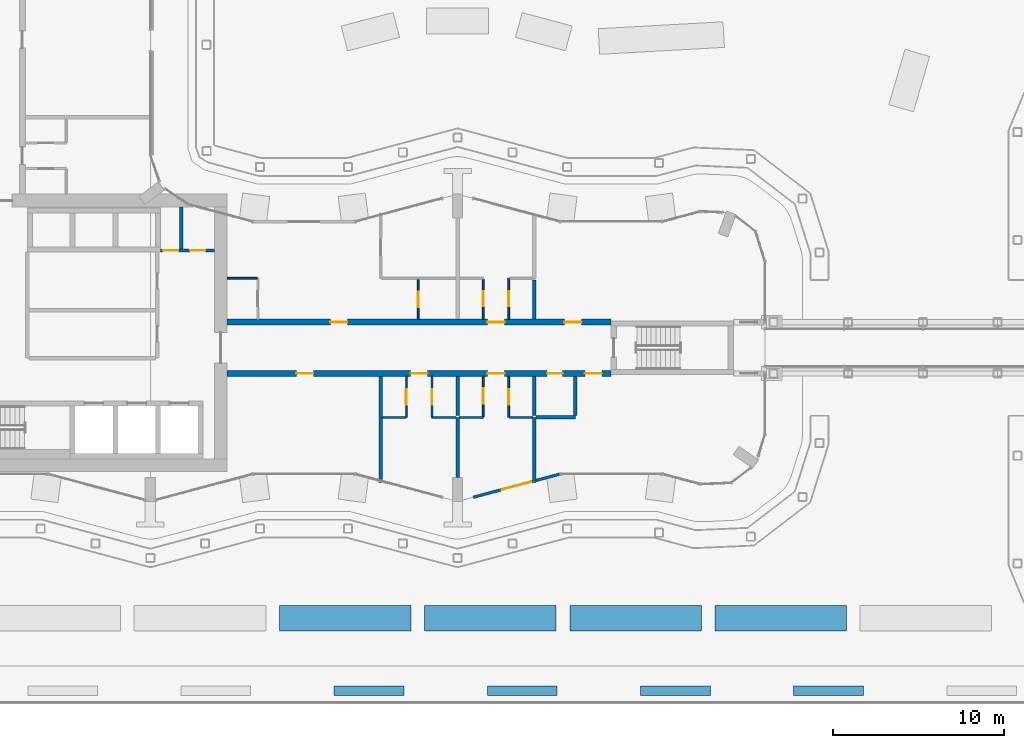
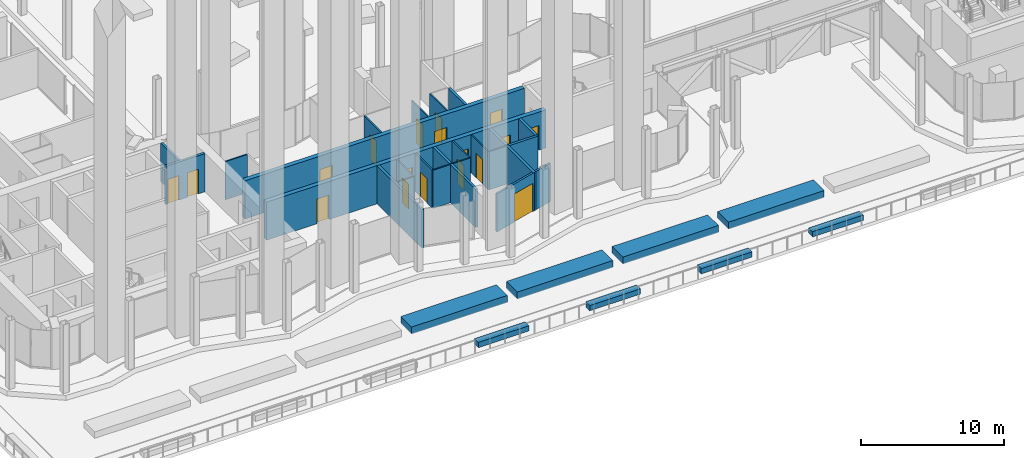
# One storey, part 24 of 33: 33 walls, 18 doors, 18 openings.
"""IFC4 building model written with IfcOpenShell, lengths in metres."""

from ifc_helpers import new_model, si_unit, direction, frame, frame_2d, origin, place, context, subcontext, project, spatial, rectangle, extrude, material, layer, layer_set, type_object, element, fill, save


model = new_model("IFC4")

# Units and contexts
model_context = context("Model", 3, precision=1e-05, world=origin(), true_north=direction((0.0, 1.0)))
body_context = subcontext(model_context, "Body", "Model", "MODEL_VIEW")
ifc_project = project(units=[si_unit("LENGTHUNIT", "METRE"), si_unit("AREAUNIT", "SQUARE_METRE"), si_unit("VOLUMEUNIT", "CUBIC_METRE"), si_unit("PLANEANGLEUNIT", "RADIAN"), si_unit("MASSUNIT", "GRAM", prefix="KILO")], contexts=[model_context])

# Site, building, storey
site_placement = place(None, origin())
site = spatial("IfcSite", under=ifc_project, at=site_placement, CompositionType="ELEMENT")
building_placement = place(site_placement, origin())
building = spatial("IfcBuilding", under=site, at=building_placement, Name="Plateau Cross Towers", CompositionType="ELEMENT")
storey_placement = place(building_placement, frame((0.0, 0.0, 26.800048828125)))
storey = spatial("IfcBuildingStorey", under=building, at=storey_placement, Name="L05", CompositionType="ELEMENT", Elevation=26.800048828125)

# Wall, openings, doors
ifc_material_1 = material(Name="Concrete block, plastered both sides", Category="concrete")
ifc_layer_1 = layer(ifc_material_1, 0.199951171875)
ifc_layer_set_1 = layer_set([ifc_layer_1], Name="Concrete block, plastered both sides")
wall_type_1 = type_object("IfcWallType", Name="Core partition 200", PredefinedType="PARTITIONING", material=ifc_layer_set_1)
wall_1_placement = place(storey_placement, frame((18.60009765625, 14.699951171875, 0.0), z_axis=(0.0, 0.0, 1.0), x_axis=(1.0, 0.0, 0.0)))
wall_1 = element("IfcWall", 1, at=wall_1_placement, inside=storey, type_object=wall_type_1, Name="Core partition", PredefinedType="PARTITIONING", context=body_context, shape_type="SweptSolid", body=[
    extrude(rectangle(XDim=3.14990234375, YDim=0.199951171875, at=frame_2d((1.574951171875, 0.0))), origin(), (0.0, 0.0, 1.0), 3.25),
])
opening_1_placement = place(wall_1_placement, frame((0.14990234375, 0.0, 0.0)))
opening_1 = element("IfcOpeningElement", 2, at=opening_1_placement, cuts=wall_1, Name="Opening RD2", PredefinedType="OPENING", context=body_context, shape_type="SweptSolid", body=[
    extrude(rectangle(XDim=0.89990234375, YDim=2.10009765625, at=frame_2d((0.449951171875, 1.050048828125))), frame((0.0, 0.10986328125, 0.0), z_axis=(0.0, -1.0, 0.0), x_axis=(1.0, 0.0, 0.0)), (0.0, 0.0, 1.0), 0.219970703125),
])
opening_2_placement = place(wall_1_placement, frame((1.72509765625, 0.0, 0.0)))
opening_2 = element("IfcOpeningElement", 3, at=opening_2_placement, cuts=wall_1, Name="Opening RD2", PredefinedType="OPENING", context=body_context, shape_type="SweptSolid", body=[
    extrude(rectangle(XDim=0.89990234375, YDim=2.10009765625, at=frame_2d((0.449951171875, 1.050048828125))), frame((0.0, 0.10986328125, 0.0), z_axis=(0.0, -1.0, 0.0), x_axis=(1.0, 0.0, 0.0)), (0.0, 0.0, 1.0), 0.219970703125),
])
ifc_material_2 = material(Name="Steel, fire-resisting leaf", Category="steel")
door_type_1 = type_object("IfcDoorType", Name="Core riser door 900", OperationType="NOTDEFINED", PredefinedType="DOOR", material=ifc_material_2)
door_1_placement = place(opening_1_placement, origin())
door_1 = element("IfcDoor", 4, at=door_1_placement, inside=storey, type_object=door_type_1, Name="Core riser door RD2", OperationType="SINGLE_SWING_LEFT", OverallHeight=2.10009765625, OverallWidth=0.89990234375, PredefinedType="DOOR", context=body_context, shape_type="SweptSolid", body=[
    extrude(rectangle(XDim=0.89990234375, YDim=2.10009765625, at=frame_2d((0.449951171875, 1.050048828125))), frame((0.0, 0.02490234375, 0.0), z_axis=(0.0, -1.0, 0.0), x_axis=(1.0, 0.0, 0.0)), (0.0, 0.0, 1.0), 0.050048828125),
])
fill(opening_1, door_1)
door_2_placement = place(opening_2_placement, origin())
door_2 = element("IfcDoor", 5, at=door_2_placement, inside=storey, type_object=door_type_1, Name="Core riser door RD2", OperationType="SINGLE_SWING_LEFT", OverallHeight=2.10009765625, OverallWidth=0.89990234375, PredefinedType="DOOR", context=body_context, shape_type="SweptSolid", body=[
    extrude(rectangle(XDim=0.89990234375, YDim=2.10009765625, at=frame_2d((0.449951171875, 1.050048828125))), frame((0.0, 0.02490234375, 0.0), z_axis=(0.0, -1.0, 0.0), x_axis=(1.0, 0.0, 0.0)), (0.0, 0.0, 1.0), 0.050048828125),
])
fill(opening_2, door_2)

# Wall
wall_2_placement = place(storey_placement, frame((19.800048828125, 14.800048828125, 0.0), z_axis=(0.0, 0.0, 1.0), x_axis=(0.0, 1.0, 0.0)))
element("IfcWall", 6, at=wall_2_placement, inside=storey, type_object=wall_type_1, Name="Core partition", PredefinedType="PARTITIONING", context=body_context, shape_type="SweptSolid", body=[
    extrude(rectangle(XDim=2.449951171875, YDim=0.199951171875, at=frame_2d((1.22509765625, 0.0))), origin(), (0.0, 0.0, 1.0), 3.25),
])

# Wall, openings, doors
ifc_material_3 = material(Name="Concrete C60/75", Category="concrete")
ifc_layer_2 = layer(ifc_material_3, 0.35009765625)
ifc_layer_set_2 = layer_set([ifc_layer_2], Name="Concrete C60/75")
wall_type_2 = type_object("IfcWallType", Name="Corridor wall 350", PredefinedType="SHEAR", material=ifc_layer_set_2)
wall_3_placement = place(storey_placement, frame((22.5, 7.5, 0.0), z_axis=(0.0, 0.0, 1.0), x_axis=(1.0, 0.0, 0.0)))
wall_3 = element("IfcWall", 7, at=wall_3_placement, inside=storey, type_object=wall_type_2, Name="A-cw-S1@L05", PredefinedType="SHEAR", context=body_context, shape_type="SweptSolid", body=[
    extrude(rectangle(XDim=22.5, YDim=0.35009765625, at=frame_2d((11.25, 0.0))), origin(), (0.0, 0.0, 1.0), 3.25),
])
opening_3_placement = place(wall_3_placement, frame((4.050048828125, 0.0, 0.0)))
opening_3 = element("IfcOpeningElement", 8, at=opening_3_placement, cuts=wall_3, Name="Opening 05-01", PredefinedType="OPENING", context=body_context, shape_type="SweptSolid", body=[
    extrude(rectangle(XDim=1.0, YDim=2.10009765625, at=frame_2d((0.5, 1.050048828125))), frame((0.0, 0.18505859375, 0.0), z_axis=(0.0, -1.0, 0.0), x_axis=(1.0, 0.0, 0.0)), (0.0, 0.0, 1.0), 0.3701171875),
])
opening_4_placement = place(wall_3_placement, frame((10.75, 0.0, 0.0)))
opening_4 = element("IfcOpeningElement", 9, at=opening_4_placement, cuts=wall_3, Name="Opening 05-02", PredefinedType="OPENING", context=body_context, shape_type="SweptSolid", body=[
    extrude(rectangle(XDim=1.0, YDim=2.10009765625, at=frame_2d((0.5, 1.050048828125))), frame((0.0, 0.18505859375, 0.0), z_axis=(0.0, -1.0, 0.0), x_axis=(1.0, 0.0, 0.0)), (0.0, 0.0, 1.0), 0.3701171875),
])
opening_5_placement = place(wall_3_placement, frame((15.25, 0.0, 0.0)))
opening_5 = element("IfcOpeningElement", 10, at=opening_5_placement, cuts=wall_3, Name="Opening 05-03", PredefinedType="OPENING", context=body_context, shape_type="SweptSolid", body=[
    extrude(rectangle(XDim=1.0, YDim=2.10009765625, at=frame_2d((0.5, 1.050048828125))), frame((0.0, 0.18505859375, 0.0), z_axis=(0.0, -1.0, 0.0), x_axis=(1.0, 0.0, 0.0)), (0.0, 0.0, 1.0), 0.3701171875),
])
opening_6_placement = place(wall_3_placement, frame((18.75, 0.0, 0.0)))
opening_6 = element("IfcOpeningElement", 11, at=opening_6_placement, cuts=wall_3, Name="Opening 05-04", PredefinedType="OPENING", context=body_context, shape_type="SweptSolid", body=[
    extrude(rectangle(XDim=0.89990234375, YDim=2.10009765625, at=frame_2d((0.449951171875, 1.050048828125))), frame((0.0, 0.18505859375, 0.0), z_axis=(0.0, -1.0, 0.0), x_axis=(1.0, 0.0, 0.0)), (0.0, 0.0, 1.0), 0.3701171875),
])
opening_7_placement = place(wall_3_placement, frame((20.949951171875, 0.0, 0.0)))
opening_7 = element("IfcOpeningElement", 12, at=opening_7_placement, cuts=wall_3, Name="Opening 05-05", PredefinedType="OPENING", context=body_context, shape_type="SweptSolid", body=[
    extrude(rectangle(XDim=1.0, YDim=2.10009765625, at=frame_2d((0.5, 1.050048828125))), frame((0.0, 0.18505859375, 0.0), z_axis=(0.0, -1.0, 0.0), x_axis=(1.0, 0.0, 0.0)), (0.0, 0.0, 1.0), 0.3701171875),
])
ifc_material_4 = material(Name="Timber, fire-resisting leaf", Category="wood")
door_type_2 = type_object("IfcDoorType", Name="Flat entrance door 1000", OperationType="NOTDEFINED", PredefinedType="DOOR", material=ifc_material_4)
door_3_placement = place(opening_3_placement, origin())
door_3 = element("IfcDoor", 13, at=door_3_placement, inside=storey, type_object=door_type_2, Name="Door 05-01", OperationType="SINGLE_SWING_LEFT", OverallHeight=2.10009765625, OverallWidth=1.0, PredefinedType="DOOR", context=body_context, shape_type="SweptSolid", body=[
    extrude(rectangle(XDim=1.0, YDim=2.10009765625, at=frame_2d((0.5, 1.050048828125))), frame((0.0, 0.02490234375, 0.0), z_axis=(0.0, -1.0, 0.0), x_axis=(1.0, 0.0, 0.0)), (0.0, 0.0, 1.0), 0.050048828125),
])
fill(opening_3, door_3)
door_4_placement = place(opening_4_placement, origin())
door_4 = element("IfcDoor", 14, at=door_4_placement, inside=storey, type_object=door_type_2, Name="Door 05-02", OperationType="SINGLE_SWING_LEFT", OverallHeight=2.10009765625, OverallWidth=1.0, PredefinedType="DOOR", context=body_context, shape_type="SweptSolid", body=[
    extrude(rectangle(XDim=1.0, YDim=2.10009765625, at=frame_2d((0.5, 1.050048828125))), frame((0.0, 0.02490234375, 0.0), z_axis=(0.0, -1.0, 0.0), x_axis=(1.0, 0.0, 0.0)), (0.0, 0.0, 1.0), 0.050048828125),
])
fill(opening_4, door_4)
door_5_placement = place(opening_5_placement, origin())
door_5 = element("IfcDoor", 15, at=door_5_placement, inside=storey, type_object=door_type_2, Name="Door 05-03", OperationType="SINGLE_SWING_RIGHT", OverallHeight=2.10009765625, OverallWidth=1.0, PredefinedType="DOOR", context=body_context, shape_type="SweptSolid", body=[
    extrude(rectangle(XDim=1.0, YDim=2.10009765625, at=frame_2d((0.5, 1.050048828125))), frame((0.0, 0.02490234375, 0.0), z_axis=(0.0, -1.0, 0.0), x_axis=(1.0, 0.0, 0.0)), (0.0, 0.0, 1.0), 0.050048828125),
])
fill(opening_5, door_5)
door_6_placement = place(opening_7_placement, origin())
door_6 = element("IfcDoor", 16, at=door_6_placement, inside=storey, type_object=door_type_2, Name="Door 05-05", OperationType="SINGLE_SWING_RIGHT", OverallHeight=2.10009765625, OverallWidth=1.0, PredefinedType="DOOR", context=body_context, shape_type="SweptSolid", body=[
    extrude(rectangle(XDim=1.0, YDim=2.10009765625, at=frame_2d((0.5, 1.050048828125))), frame((0.0, 0.02490234375, 0.0), z_axis=(0.0, -1.0, 0.0), x_axis=(1.0, 0.0, 0.0)), (0.0, 0.0, 1.0), 0.050048828125),
])
fill(opening_7, door_6)
door_type_3 = type_object("IfcDoorType", Name="Flat floor service door 900", OperationType="NOTDEFINED", PredefinedType="DOOR", material=ifc_material_4)
door_7_placement = place(opening_6_placement, origin())
door_7 = element("IfcDoor", 17, at=door_7_placement, inside=storey, type_object=door_type_3, Name="Door 05-04", OperationType="SINGLE_SWING_RIGHT", OverallHeight=2.10009765625, OverallWidth=0.89990234375, PredefinedType="DOOR", context=body_context, shape_type="SweptSolid", body=[
    extrude(rectangle(XDim=0.89990234375, YDim=2.10009765625, at=frame_2d((0.449951171875, 1.050048828125))), frame((0.0, 0.02490234375, 0.0), z_axis=(0.0, -1.0, 0.0), x_axis=(1.0, 0.0, 0.0)), (0.0, 0.0, 1.0), 0.050048828125),
])
fill(opening_6, door_7)

wall_4_placement = place(storey_placement, frame((22.5, 10.5, 0.0), z_axis=(0.0, 0.0, 1.0), x_axis=(1.0, 0.0, 0.0)))
wall_4 = element("IfcWall", 18, at=wall_4_placement, inside=storey, type_object=wall_type_2, Name="A-cw-S2@L05", PredefinedType="SHEAR", context=body_context, shape_type="SweptSolid", body=[
    extrude(rectangle(XDim=22.5, YDim=0.35009765625, at=frame_2d((11.25, 0.0))), origin(), (0.0, 0.0, 1.0), 3.25),
])
opening_8_placement = place(wall_4_placement, frame((6.050048828125, 0.0, 0.0)))
opening_8 = element("IfcOpeningElement", 19, at=opening_8_placement, cuts=wall_4, Name="Opening 05-06", PredefinedType="OPENING", context=body_context, shape_type="SweptSolid", body=[
    extrude(rectangle(XDim=1.0, YDim=2.10009765625, at=frame_2d((0.5, 1.050048828125))), frame((0.0, 0.18505859375, 0.0), z_axis=(0.0, -1.0, 0.0), x_axis=(1.0, 0.0, 0.0)), (0.0, 0.0, 1.0), 0.3701171875),
])
opening_9_placement = place(wall_4_placement, frame((15.25, 0.0, 0.0)))
opening_9 = element("IfcOpeningElement", 20, at=opening_9_placement, cuts=wall_4, Name="Opening 05-07", PredefinedType="OPENING", context=body_context, shape_type="SweptSolid", body=[
    extrude(rectangle(XDim=1.0, YDim=2.10009765625, at=frame_2d((0.5, 1.050048828125))), frame((0.0, 0.18505859375, 0.0), z_axis=(0.0, -1.0, 0.0), x_axis=(1.0, 0.0, 0.0)), (0.0, 0.0, 1.0), 0.3701171875),
])
opening_10_placement = place(wall_4_placement, frame((19.75, 0.0, 0.0)))
opening_10 = element("IfcOpeningElement", 21, at=opening_10_placement, cuts=wall_4, Name="Opening 05-08", PredefinedType="OPENING", context=body_context, shape_type="SweptSolid", body=[
    extrude(rectangle(XDim=1.0, YDim=2.10009765625, at=frame_2d((0.5, 1.050048828125))), frame((0.0, 0.18505859375, 0.0), z_axis=(0.0, -1.0, 0.0), x_axis=(1.0, 0.0, 0.0)), (0.0, 0.0, 1.0), 0.3701171875),
])
door_8_placement = place(opening_8_placement, origin())
door_8 = element("IfcDoor", 22, at=door_8_placement, inside=storey, type_object=door_type_2, Name="Door 05-06", OperationType="SINGLE_SWING_LEFT", OverallHeight=2.10009765625, OverallWidth=1.0, PredefinedType="DOOR", context=body_context, shape_type="SweptSolid", body=[
    extrude(rectangle(XDim=1.0, YDim=2.10009765625, at=frame_2d((0.5, 1.050048828125))), frame((0.0, 0.02490234375, 0.0), z_axis=(0.0, -1.0, 0.0), x_axis=(1.0, 0.0, 0.0)), (0.0, 0.0, 1.0), 0.050048828125),
])
fill(opening_8, door_8)
door_9_placement = place(opening_9_placement, origin())
door_9 = element("IfcDoor", 23, at=door_9_placement, inside=storey, type_object=door_type_2, Name="Door 05-07", OperationType="SINGLE_SWING_RIGHT", OverallHeight=2.10009765625, OverallWidth=1.0, PredefinedType="DOOR", context=body_context, shape_type="SweptSolid", body=[
    extrude(rectangle(XDim=1.0, YDim=2.10009765625, at=frame_2d((0.5, 1.050048828125))), frame((0.0, 0.02490234375, 0.0), z_axis=(0.0, -1.0, 0.0), x_axis=(1.0, 0.0, 0.0)), (0.0, 0.0, 1.0), 0.050048828125),
])
fill(opening_9, door_9)
door_10_placement = place(opening_10_placement, origin())
door_10 = element("IfcDoor", 24, at=door_10_placement, inside=storey, type_object=door_type_2, Name="Door 05-08", OperationType="SINGLE_SWING_RIGHT", OverallHeight=2.10009765625, OverallWidth=1.0, PredefinedType="DOOR", context=body_context, shape_type="SweptSolid", body=[
    extrude(rectangle(XDim=1.0, YDim=2.10009765625, at=frame_2d((0.5, 1.050048828125))), frame((0.0, 0.02490234375, 0.0), z_axis=(0.0, -1.0, 0.0), x_axis=(1.0, 0.0, 0.0)), (0.0, 0.0, 1.0), 0.050048828125),
])
fill(opening_10, door_10)

# Wall, opening, door
ifc_material_5 = material(Name="Aluminium framed glazing", Category="aluminium")
ifc_layer_3 = layer(ifc_material_5, 0.159912109375)
ifc_layer_set_3 = layer_set([ifc_layer_3], Name="Aluminium framed glazing")
wall_type_3 = type_object("IfcWallType", Name="Entrance screen wall 160", PredefinedType="STANDARD", material=ifc_layer_set_3)
wall_5_placement = place(storey_placement, frame((42.0, 1.60693359375, 0.0), z_axis=(0.0, 0.0, 1.0), x_axis=(-0.965956335063, -0.258705157954, 0.0)))
wall_5 = element("IfcWall", 25, at=wall_5_placement, inside=storey, type_object=wall_type_3, Name="Deck A1 screen wall", PredefinedType="STANDARD", context=body_context, shape_type="SweptSolid", body=[
    extrude(rectangle(XDim=5.26123046875, YDim=0.159912109375, at=frame_2d((2.630615234375, 0.0))), origin(), (0.0, 0.0, 1.0), 3.25),
])
opening_11_placement = place(wall_5_placement, frame((1.73046875, 0.0, 0.0)))
opening_11 = element("IfcOpeningElement", 26, at=opening_11_placement, cuts=wall_5, Name="Opening XD1", PredefinedType="OPENING", context=body_context, shape_type="SweptSolid", body=[
    extrude(rectangle(XDim=1.800048828125, YDim=2.39990234375, at=frame_2d((0.89990234375, 1.199951171875))), frame((0.0, 0.08984375, 0.0), z_axis=(0.0, -1.0, 0.0), x_axis=(1.0, 0.0, 0.0)), (0.0, 0.0, 1.0), 0.179931640625),
])
door_type_4 = type_object("IfcDoorType", Name="Terrace door double leaf 1800x2400", OperationType="DOUBLE_DOOR_SINGLE_SWING", PredefinedType="DOOR", material=ifc_material_5)
door_11_placement = place(opening_11_placement, origin())
door_11 = element("IfcDoor", 27, at=door_11_placement, inside=storey, type_object=door_type_4, Name="Deck A1 door", OperationType="SINGLE_SWING_LEFT", OverallHeight=2.39990234375, OverallWidth=1.800048828125, PredefinedType="DOOR", context=body_context, shape_type="SweptSolid", body=[
    extrude(rectangle(XDim=1.800048828125, YDim=2.39990234375, at=frame_2d((0.89990234375, 1.199951171875))), frame((0.0, 0.02490234375, 0.0), z_axis=(0.0, -1.0, 0.0), x_axis=(1.0, 0.0, 0.0)), (0.0, 0.0, 1.0), 0.050048828125),
])
fill(opening_11, door_11)

# Walls
ifc_material_6 = material(Name="Gypsum board on steel studs", Category="steel")
ifc_layer_4 = layer(ifc_material_6, 0.10009765625)
ifc_layer_set_4 = layer_set([ifc_layer_4], Name="Gypsum board on steel studs")
wall_type_4 = type_object("IfcWallType", Name="Flat partition 100", PredefinedType="PARTITIONING", material=ifc_layer_set_4)
wall_6_placement = place(storey_placement, frame((31.60009765625, 4.925048828125, 0.0), z_axis=(0.0, 0.0, 1.0), x_axis=(1.0, 0.0, 0.0)))
element("IfcWall", 28, at=wall_6_placement, inside=storey, type_object=wall_type_4, Name="Partition wall", PredefinedType="PARTITIONING", context=body_context, shape_type="SweptSolid", body=[
    extrude(rectangle(XDim=1.349853515625, YDim=0.10009765625, at=frame_2d((0.6748046875, 0.0))), origin(), (0.0, 0.0, 1.0), 3.25),
])
for number, where, z_axis, x_axis, name in (
    (29, (34.5, 4.925048828125, 0.0), (0.0, 0.0, 1.0), (1.0, 0.0, 0.0), "Partition wall"),
    (30, (36.10009765625, 4.925048828125, 0.0), (0.0, 0.0, 1.0), (1.0, 0.0, 0.0), "Partition wall"),
):
    element("IfcWall", number, at=place(storey_placement, frame(where, z_axis=z_axis, x_axis=x_axis)), inside=storey, type_object=wall_type_4, Name=name, PredefinedType="PARTITIONING", context=body_context, shape_type="SweptSolid", body=[
        extrude(rectangle(XDim=1.39990234375, YDim=0.10009765625, at=frame_2d((0.699951171875, 0.0))), origin(), (0.0, 0.0, 1.0), 3.25),
    ])
wall_7_placement = place(storey_placement, frame((39.050048828125, 4.925048828125, 0.0), z_axis=(0.0, 0.0, 1.0), x_axis=(1.0, 0.0, 0.0)))
element("IfcWall", 31, at=wall_7_placement, inside=storey, type_object=wall_type_4, Name="Partition wall", PredefinedType="PARTITIONING", context=body_context, shape_type="SweptSolid", body=[
    extrude(rectangle(XDim=1.349853515625, YDim=0.10009765625, at=frame_2d((0.6748046875, 0.0))), origin(), (0.0, 0.0, 1.0), 3.25),
])
wall_8_placement = place(storey_placement, frame((24.25, 13.074951171875, 0.0), z_axis=(0.0, 0.0, 1.0), x_axis=(-1.0, 0.0, 0.0)))
element("IfcWall", 32, at=wall_8_placement, inside=storey, type_object=wall_type_4, Name="Partition wall", PredefinedType="PARTITIONING", context=body_context, shape_type="SweptSolid", body=[
    extrude(rectangle(XDim=1.75, YDim=0.10009765625, at=frame_2d((0.875, 0.0))), origin(), (0.0, 0.0, 1.0), 3.25),
])

# Wall, opening, door
wall_9_placement = place(storey_placement, frame((33.0, 4.925048828125, 0.0), z_axis=(0.0, 0.0, 1.0), x_axis=(0.0, 1.0, 0.0)))
wall_9 = element("IfcWall", 33, at=wall_9_placement, inside=storey, type_object=wall_type_4, Name="Partition wall", PredefinedType="PARTITIONING", context=body_context, shape_type="SweptSolid", body=[
    extrude(rectangle(XDim=2.39990234375, YDim=0.10009765625, at=frame_2d((1.199951171875, 0.0))), origin(), (0.0, 0.0, 1.0), 3.25),
])
opening_12_placement = place(wall_9_placement, frame((0.75, 0.0, 0.0)))
opening_12 = element("IfcOpeningElement", 34, at=opening_12_placement, cuts=wall_9, Name="Opening 05-18", PredefinedType="OPENING", context=body_context, shape_type="SweptSolid", body=[
    extrude(rectangle(XDim=0.89990234375, YDim=2.10009765625, at=frame_2d((0.449951171875, 1.050048828125))), frame((0.0, 0.06005859375, 0.0), z_axis=(0.0, -1.0, 0.0), x_axis=(1.0, 0.0, 0.0)), (0.0, 0.0, 1.0), 0.1201171875),
])
ifc_material_7 = material(Name="Timber leaf", Category="wood")
door_type_5 = type_object("IfcDoorType", Name="Flat room door 900", OperationType="NOTDEFINED", PredefinedType="DOOR", material=ifc_material_7)
door_12_placement = place(opening_12_placement, origin())
door_12 = element("IfcDoor", 35, at=door_12_placement, inside=storey, type_object=door_type_5, Name="Door 05-18", OperationType="SINGLE_SWING_LEFT", OverallHeight=2.10009765625, OverallWidth=0.89990234375, PredefinedType="DOOR", context=body_context, shape_type="SweptSolid", body=[
    extrude(rectangle(XDim=0.89990234375, YDim=2.10009765625, at=frame_2d((0.449951171875, 1.050048828125))), frame((0.0, 0.02490234375, 0.0), z_axis=(0.0, -1.0, 0.0), x_axis=(1.0, 0.0, 0.0)), (0.0, 0.0, 1.0), 0.050048828125),
])
fill(opening_12, door_12)

wall_10_placement = place(storey_placement, frame((33.699951171875, 13.02490234375, 0.0), z_axis=(0.0, 0.0, 1.0), x_axis=(0.0, -1.0, 0.0)))
wall_10 = element("IfcWall", 36, at=wall_10_placement, inside=storey, type_object=wall_type_4, Name="Partition wall", PredefinedType="PARTITIONING", context=body_context, shape_type="SweptSolid", body=[
    extrude(rectangle(XDim=2.349853515625, YDim=0.10009765625, at=frame_2d((1.1748046875, 0.0))), origin(), (0.0, 0.0, 1.0), 3.25),
])
opening_13_placement = place(wall_10_placement, frame((0.75, 0.0, 0.0)))
opening_13 = element("IfcOpeningElement", 37, at=opening_13_placement, cuts=wall_10, Name="Opening 05-23", PredefinedType="OPENING", context=body_context, shape_type="SweptSolid", body=[
    extrude(rectangle(XDim=0.89990234375, YDim=2.10009765625, at=frame_2d((0.449951171875, 1.050048828125))), frame((0.0, 0.06005859375, 0.0), z_axis=(0.0, -1.0, 0.0), x_axis=(1.0, 0.0, 0.0)), (0.0, 0.0, 1.0), 0.1201171875),
])
door_13_placement = place(opening_13_placement, origin())
door_13 = element("IfcDoor", 38, at=door_13_placement, inside=storey, type_object=door_type_5, Name="Door 05-23", OperationType="SINGLE_SWING_RIGHT", OverallHeight=2.10009765625, OverallWidth=0.89990234375, PredefinedType="DOOR", context=body_context, shape_type="SweptSolid", body=[
    extrude(rectangle(XDim=0.89990234375, YDim=2.10009765625, at=frame_2d((0.449951171875, 1.050048828125))), frame((0.0, 0.02490234375, 0.0), z_axis=(0.0, -1.0, 0.0), x_axis=(1.0, 0.0, 0.0)), (0.0, 0.0, 1.0), 0.050048828125),
])
fill(opening_13, door_13)

wall_11_placement = place(storey_placement, frame((34.5, 7.324951171875, 0.0), z_axis=(0.0, 0.0, 1.0), x_axis=(0.0, -1.0, 0.0)))
wall_11 = element("IfcWall", 39, at=wall_11_placement, inside=storey, type_object=wall_type_4, Name="Partition wall", PredefinedType="PARTITIONING", context=body_context, shape_type="SweptSolid", body=[
    extrude(rectangle(XDim=2.349853515625, YDim=0.10009765625, at=frame_2d((1.1748046875, 0.0))), origin(), (0.0, 0.0, 1.0), 3.25),
])
opening_14_placement = place(wall_11_placement, frame((0.75, 0.0, 0.0)))
opening_14 = element("IfcOpeningElement", 40, at=opening_14_placement, cuts=wall_11, Name="Opening 05-19", PredefinedType="OPENING", context=body_context, shape_type="SweptSolid", body=[
    extrude(rectangle(XDim=0.89990234375, YDim=2.10009765625, at=frame_2d((0.449951171875, 1.050048828125))), frame((0.0, 0.06005859375, 0.0), z_axis=(0.0, -1.0, 0.0), x_axis=(1.0, 0.0, 0.0)), (0.0, 0.0, 1.0), 0.1201171875),
])
door_14_placement = place(opening_14_placement, origin())
door_14 = element("IfcDoor", 41, at=door_14_placement, inside=storey, type_object=door_type_5, Name="Door 05-19", OperationType="SINGLE_SWING_RIGHT", OverallHeight=2.10009765625, OverallWidth=0.89990234375, PredefinedType="DOOR", context=body_context, shape_type="SweptSolid", body=[
    extrude(rectangle(XDim=0.89990234375, YDim=2.10009765625, at=frame_2d((0.449951171875, 1.050048828125))), frame((0.0, 0.02490234375, 0.0), z_axis=(0.0, -1.0, 0.0), x_axis=(1.0, 0.0, 0.0)), (0.0, 0.0, 1.0), 0.050048828125),
])
fill(opening_14, door_14)

wall_12_placement = place(storey_placement, frame((37.5, 4.97509765625, 0.0), z_axis=(0.0, 0.0, 1.0), x_axis=(0.0, 1.0, 0.0)))
wall_12 = element("IfcWall", 42, at=wall_12_placement, inside=storey, type_object=wall_type_4, Name="Partition wall", PredefinedType="PARTITIONING", context=body_context, shape_type="SweptSolid", body=[
    extrude(rectangle(XDim=2.349853515625, YDim=0.10009765625, at=frame_2d((1.1748046875, 0.0))), origin(), (0.0, 0.0, 1.0), 3.25),
])
opening_15_placement = place(wall_12_placement, frame((0.75, 0.0, 0.0)))
opening_15 = element("IfcOpeningElement", 43, at=opening_15_placement, cuts=wall_12, Name="Opening 05-20", PredefinedType="OPENING", context=body_context, shape_type="SweptSolid", body=[
    extrude(rectangle(XDim=0.89990234375, YDim=2.10009765625, at=frame_2d((0.449951171875, 1.050048828125))), frame((0.0, 0.06005859375, 0.0), z_axis=(0.0, -1.0, 0.0), x_axis=(1.0, 0.0, 0.0)), (0.0, 0.0, 1.0), 0.1201171875),
])
door_15_placement = place(opening_15_placement, origin())
door_15 = element("IfcDoor", 44, at=door_15_placement, inside=storey, type_object=door_type_5, Name="Door 05-20", OperationType="SINGLE_SWING_RIGHT", OverallHeight=2.10009765625, OverallWidth=0.89990234375, PredefinedType="DOOR", context=body_context, shape_type="SweptSolid", body=[
    extrude(rectangle(XDim=0.89990234375, YDim=2.10009765625, at=frame_2d((0.449951171875, 1.050048828125))), frame((0.0, 0.02490234375, 0.0), z_axis=(0.0, -1.0, 0.0), x_axis=(1.0, 0.0, 0.0)), (0.0, 0.0, 1.0), 0.050048828125),
])
fill(opening_15, door_15)

wall_13_placement = place(storey_placement, frame((37.5, 10.675048828125, 0.0), z_axis=(0.0, 0.0, 1.0), x_axis=(0.0, 1.0, 0.0)))
wall_13 = element("IfcWall", 45, at=wall_13_placement, inside=storey, type_object=wall_type_4, Name="Partition wall", PredefinedType="PARTITIONING", context=body_context, shape_type="SweptSolid", body=[
    extrude(rectangle(XDim=2.349853515625, YDim=0.10009765625, at=frame_2d((1.1748046875, 0.0))), origin(), (0.0, 0.0, 1.0), 3.25),
])
opening_16_placement = place(wall_13_placement, frame((0.75, 0.0, 0.0)))
opening_16 = element("IfcOpeningElement", 46, at=opening_16_placement, cuts=wall_13, Name="Opening 05-25", PredefinedType="OPENING", context=body_context, shape_type="SweptSolid", body=[
    extrude(rectangle(XDim=0.89990234375, YDim=2.10009765625, at=frame_2d((0.449951171875, 1.050048828125))), frame((0.0, 0.06005859375, 0.0), z_axis=(0.0, -1.0, 0.0), x_axis=(1.0, 0.0, 0.0)), (0.0, 0.0, 1.0), 0.1201171875),
])
door_16_placement = place(opening_16_placement, origin())
door_16 = element("IfcDoor", 47, at=door_16_placement, inside=storey, type_object=door_type_5, Name="Door 05-25", OperationType="SINGLE_SWING_RIGHT", OverallHeight=2.10009765625, OverallWidth=0.89990234375, PredefinedType="DOOR", context=body_context, shape_type="SweptSolid", body=[
    extrude(rectangle(XDim=0.89990234375, YDim=2.10009765625, at=frame_2d((0.449951171875, 1.050048828125))), frame((0.0, 0.02490234375, 0.0), z_axis=(0.0, -1.0, 0.0), x_axis=(1.0, 0.0, 0.0)), (0.0, 0.0, 1.0), 0.050048828125),
])
fill(opening_16, door_16)

wall_14_placement = place(storey_placement, frame((39.0, 7.324951171875, 0.0), z_axis=(0.0, 0.0, 1.0), x_axis=(0.0, -1.0, 0.0)))
wall_14 = element("IfcWall", 48, at=wall_14_placement, inside=storey, type_object=wall_type_4, Name="Partition wall", PredefinedType="PARTITIONING", context=body_context, shape_type="SweptSolid", body=[
    extrude(rectangle(XDim=2.39990234375, YDim=0.10009765625, at=frame_2d((1.199951171875, 0.0))), origin(), (0.0, 0.0, 1.0), 3.25),
])
opening_17_placement = place(wall_14_placement, frame((0.75, 0.0, 0.0)))
opening_17 = element("IfcOpeningElement", 49, at=opening_17_placement, cuts=wall_14, Name="Opening 05-21", PredefinedType="OPENING", context=body_context, shape_type="SweptSolid", body=[
    extrude(rectangle(XDim=0.89990234375, YDim=2.10009765625, at=frame_2d((0.449951171875, 1.050048828125))), frame((0.0, 0.06005859375, 0.0), z_axis=(0.0, -1.0, 0.0), x_axis=(1.0, 0.0, 0.0)), (0.0, 0.0, 1.0), 0.1201171875),
])
door_17_placement = place(opening_17_placement, origin())
door_17 = element("IfcDoor", 50, at=door_17_placement, inside=storey, type_object=door_type_5, Name="Door 05-21", OperationType="SINGLE_SWING_LEFT", OverallHeight=2.10009765625, OverallWidth=0.89990234375, PredefinedType="DOOR", context=body_context, shape_type="SweptSolid", body=[
    extrude(rectangle(XDim=0.89990234375, YDim=2.10009765625, at=frame_2d((0.449951171875, 1.050048828125))), frame((0.0, 0.02490234375, 0.0), z_axis=(0.0, -1.0, 0.0), x_axis=(1.0, 0.0, 0.0)), (0.0, 0.0, 1.0), 0.050048828125),
])
fill(opening_17, door_17)

wall_15_placement = place(storey_placement, frame((39.0, 13.074951171875, 0.0), z_axis=(0.0, 0.0, 1.0), x_axis=(0.0, -1.0, 0.0)))
wall_15 = element("IfcWall", 51, at=wall_15_placement, inside=storey, type_object=wall_type_4, Name="Partition wall", PredefinedType="PARTITIONING", context=body_context, shape_type="SweptSolid", body=[
    extrude(rectangle(XDim=2.39990234375, YDim=0.10009765625, at=frame_2d((1.199951171875, 0.0))), origin(), (0.0, 0.0, 1.0), 3.25),
])
opening_18_placement = place(wall_15_placement, frame((0.75, 0.0, 0.0)))
opening_18 = element("IfcOpeningElement", 52, at=opening_18_placement, cuts=wall_15, Name="Opening 05-26", PredefinedType="OPENING", context=body_context, shape_type="SweptSolid", body=[
    extrude(rectangle(XDim=0.89990234375, YDim=2.10009765625, at=frame_2d((0.449951171875, 1.050048828125))), frame((0.0, 0.06005859375, 0.0), z_axis=(0.0, -1.0, 0.0), x_axis=(1.0, 0.0, 0.0)), (0.0, 0.0, 1.0), 0.1201171875),
])
door_18_placement = place(opening_18_placement, origin())
door_18 = element("IfcDoor", 53, at=door_18_placement, inside=storey, type_object=door_type_5, Name="Door 05-26", OperationType="SINGLE_SWING_RIGHT", OverallHeight=2.10009765625, OverallWidth=0.89990234375, PredefinedType="DOOR", context=body_context, shape_type="SweptSolid", body=[
    extrude(rectangle(XDim=0.89990234375, YDim=2.10009765625, at=frame_2d((0.449951171875, 1.050048828125))), frame((0.0, 0.02490234375, 0.0), z_axis=(0.0, -1.0, 0.0), x_axis=(1.0, 0.0, 0.0)), (0.0, 0.0, 1.0), 0.050048828125),
])
fill(opening_18, door_18)

# Walls
ifc_material_8 = material(Name="Gypsum board on steel studs, two layers each side", Category="steel")
ifc_layer_5 = layer(ifc_material_8, 0.199951171875)
ifc_layer_set_5 = layer_set([ifc_layer_5], Name="Gypsum board on steel studs, two layers each side")
wall_type_5 = type_object("IfcWallType", Name="Flat party wall 200", PredefinedType="PARTITIONING", material=ifc_layer_set_5)
wall_16_placement = place(storey_placement, frame((40.60009765625, 4.925048828125, 0.0), z_axis=(0.0, 0.0, 1.0), x_axis=(1.0, 0.0, 0.0)))
element("IfcWall", 54, at=wall_16_placement, inside=storey, type_object=wall_type_5, Name="Party wall", PredefinedType="PARTITIONING", context=body_context, shape_type="SweptSolid", body=[
    extrude(rectangle(XDim=2.2998046875, YDim=0.199951171875, at=frame_2d((1.14990234375, 0.0))), origin(), (0.0, 0.0, 1.0), 3.25),
])
wall_17_placement = place(storey_placement, frame((31.5, 1.122314453125, 0.0), z_axis=(0.0, 0.0, 1.0), x_axis=(0.0, 1.0, 0.0)))
element("IfcWall", 55, at=wall_17_placement, inside=storey, type_object=wall_type_5, Name="Party wall", PredefinedType="PARTITIONING", context=body_context, shape_type="SweptSolid", body=[
    extrude(rectangle(XDim=6.20263671875, YDim=0.199951171875, at=frame_2d((3.101318359375, 0.0))), origin(), (0.0, 0.0, 1.0), 3.25),
])
wall_18_placement = place(storey_placement, frame((36.0, 4.925048828125, 0.0), z_axis=(0.0, 0.0, 1.0), x_axis=(0.0, -1.0, 0.0)))
element("IfcWall", 56, at=wall_18_placement, inside=storey, type_object=wall_type_5, Name="Party wall", PredefinedType="PARTITIONING", context=body_context, shape_type="SweptSolid", body=[
    extrude(rectangle(XDim=3.525146484375, YDim=0.199951171875, at=frame_2d((1.7626953125, 0.0))), origin(), (0.0, 0.0, 1.0), 3.25),
])
wall_19_placement = place(storey_placement, frame((36.0, 5.02490234375, 0.0), z_axis=(0.0, 0.0, 1.0), x_axis=(0.0, 1.0, 0.0)))
element("IfcWall", 57, at=wall_19_placement, inside=storey, type_object=wall_type_5, Name="Party wall", PredefinedType="PARTITIONING", context=body_context, shape_type="SweptSolid", body=[
    extrude(rectangle(XDim=2.300048828125, YDim=0.199951171875, at=frame_2d((1.14990234375, 0.0))), origin(), (0.0, 0.0, 1.0), 3.25),
])
wall_20_placement = place(storey_placement, frame((40.5, 4.925048828125, 0.0), z_axis=(0.0, 0.0, 1.0), x_axis=(0.0, -1.0, 0.0)))
element("IfcWall", 58, at=wall_20_placement, inside=storey, type_object=wall_type_5, Name="Party wall", PredefinedType="PARTITIONING", context=body_context, shape_type="SweptSolid", body=[
    extrude(rectangle(XDim=3.802734375, YDim=0.199951171875, at=frame_2d((1.9013671875, 0.0))), origin(), (0.0, 0.0, 1.0), 3.25),
])
for number, where, z_axis, x_axis, name in (
    (59, (40.5, 5.02490234375, 0.0), (0.0, 0.0, 1.0), (0.0, 1.0, 0.0), "Party wall"),
    (60, (40.5, 10.675048828125, 0.0), (0.0, 0.0, 1.0), (0.0, 1.0, 0.0), "Party wall"),
    (61, (42.89990234375, 5.02490234375, 0.0), (0.0, 0.0, 1.0), (0.0, 1.0, 0.0), "Party wall"),
):
    element("IfcWall", number, at=place(storey_placement, frame(where, z_axis=z_axis, x_axis=x_axis)), inside=storey, type_object=wall_type_5, Name=name, PredefinedType="PARTITIONING", context=body_context, shape_type="SweptSolid", body=[
        extrude(rectangle(XDim=2.300048828125, YDim=0.199951171875, at=frame_2d((1.14990234375, 0.0))), origin(), (0.0, 0.0, 1.0), 3.25),
    ])
ifc_material_9 = material(Name="Concrete C30/37", Category="concrete")
ifc_layer_6 = layer(ifc_material_9, 0.550048828125)
ifc_layer_set_6 = layer_set([ifc_layer_6], Name="Concrete C30/37")
wall_type_6 = type_object("IfcWallType", Name="Planter upstand 550", PredefinedType="STANDARD", material=ifc_layer_set_6)
for number, where, z_axis, x_axis, name in (
    (62, (59.772705078125, -11.0849609375, 0.0), (0.0, 0.0, 1.0), (-1.0, 0.0, 0.0), "Planter 33"),
    (63, (50.800048828125, -11.0849609375, 0.0), (0.0, 0.0, 1.0), (-1.0, 0.0, 0.0), "Planter 34"),
    (64, (41.827392578125, -11.0849609375, 0.0), (0.0, 0.0, 1.0), (-1.0, 0.0, 0.0), "Planter 35"),
    (65, (32.854736328125, -11.0849609375, 0.0), (0.0, 0.0, 1.0), (-1.0, 0.0, 0.0), "Planter 36"),
):
    element("IfcWall", number, at=place(storey_placement, frame(where, z_axis=z_axis, x_axis=x_axis)), inside=storey, type_object=wall_type_6, Name=name, PredefinedType="STANDARD", context=body_context, shape_type="SweptSolid", body=[
        extrude(rectangle(XDim=4.08642578125, YDim=0.550048828125, at=frame_2d((2.043212890625, 0.0))), origin(), (0.0, 0.0, 1.0), 0.449951171875),
    ])
ifc_layer_7 = layer(ifc_material_9, 1.5)
ifc_layer_set_7 = layer_set([ifc_layer_7], Name="Concrete C30/37")
wall_type_7 = type_object("IfcWallType", Name="Planting bed 1500", PredefinedType="STANDARD", material=ifc_layer_set_7)
for number, where, z_axis, x_axis, name in (
    (66, (58.778564453125, -6.85009765625, 0.0), (0.0, 0.0, 1.0), (-1.0, 0.0, 0.0), "Planter bed 11"),
    (67, (50.274658203125, -6.85009765625, 0.0), (0.0, 0.0, 1.0), (-1.0, 0.0, 0.0), "Planter bed 12"),
    (68, (41.7705078125, -6.85009765625, 0.0), (0.0, 0.0, 1.0), (-1.0, 0.0, 0.0), "Planter bed 13"),
    (69, (33.266357421875, -6.85009765625, 0.0), (0.0, 0.0, 1.0), (-1.0, 0.0, 0.0), "Planter bed 14"),
):
    element("IfcWall", number, at=place(storey_placement, frame(where, z_axis=z_axis, x_axis=x_axis)), inside=storey, type_object=wall_type_7, Name=name, PredefinedType="STANDARD", context=body_context, shape_type="SweptSolid", body=[
        extrude(rectangle(XDim=7.7041015625, YDim=1.5, at=frame_2d((3.85205078125, 0.0))), origin(), (0.0, 0.0, 1.0), 0.599853515625),
    ])

save(model, "model.ifc")
